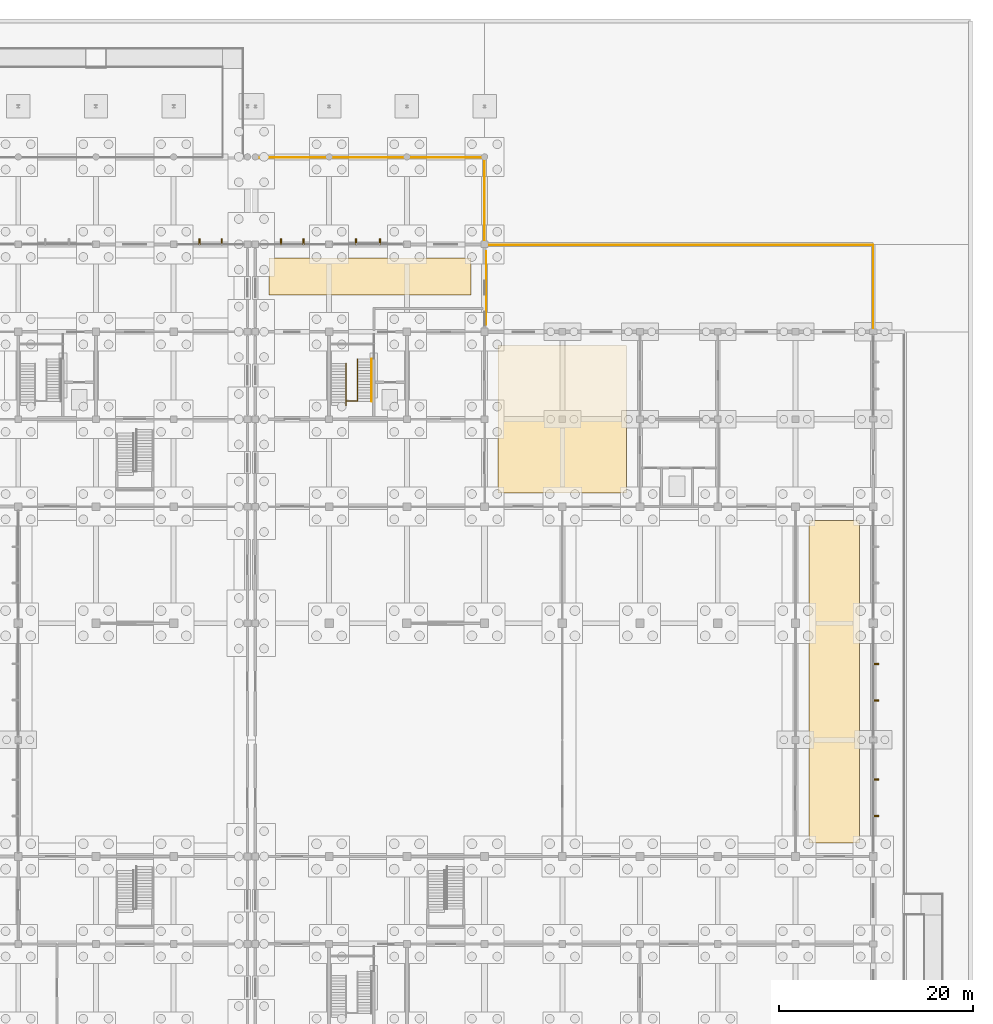
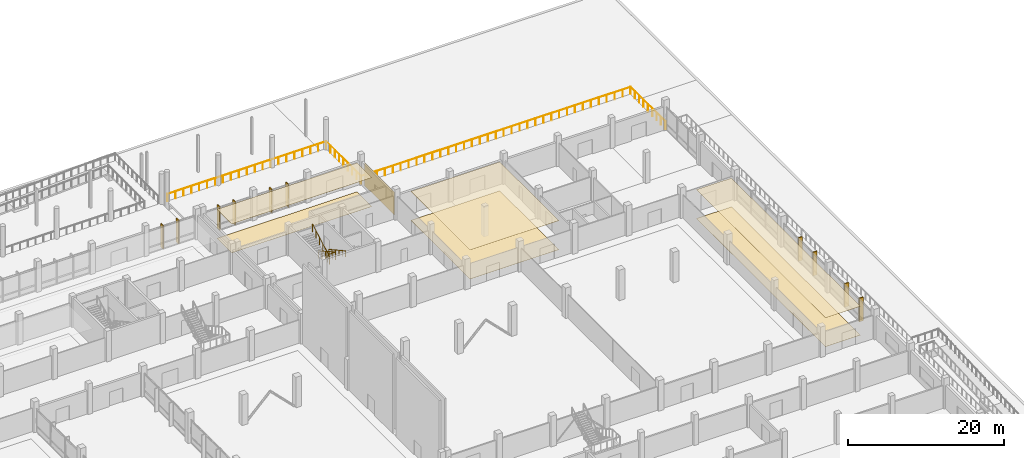
# One storey, part 68 of 72: 10 shading devices, 7 coverings, 4 railings.
"""IFC4 building model written with IfcOpenShell, lengths in metres."""

from ifc_helpers import new_model, si_unit, direction, frame, origin, origin_2d, place, context, subcontext, project, spatial, polyline, rectangle, circle, outline, extrude, material, layer, layer_set, type_object, element, save


model = new_model("IFC4")

# Units and contexts
model_context = context("Model", 3, precision=1e-05, world=origin(), true_north=direction((0.0, 1.0)))
body_context = subcontext(model_context, "Body", "Model", "MODEL_VIEW")
ifc_project = project(units=[si_unit("LENGTHUNIT", "METRE"), si_unit("AREAUNIT", "SQUARE_METRE"), si_unit("VOLUMEUNIT", "CUBIC_METRE"), si_unit("PLANEANGLEUNIT", "RADIAN"), si_unit("MASSUNIT", "GRAM", prefix="KILO"), si_unit("THERMODYNAMICTEMPERATUREUNIT", "KELVIN"), si_unit("POWERUNIT", "WATT")], contexts=[model_context])

# Site, building, storey
site_placement = place(None, origin())
site = spatial("IfcSite", under=ifc_project, at=site_placement, CompositionType="ELEMENT")
building_placement = place(site_placement, origin())
building = spatial("IfcBuilding", under=site, at=building_placement, Name="Kronsvod Quay Wholesale Market", CompositionType="ELEMENT")
storey_placement = place(building_placement, origin())
storey = spatial("IfcBuildingStorey", under=building, at=storey_placement, Name="L00", CompositionType="ELEMENT", Elevation=0.0)

# Coverings
ifc_material_1 = material(Name="Perforated acoustic mineral-wool ceiling")
ifc_layer_1 = layer(ifc_material_1, 0.030029296875)
ifc_layer_set_1 = layer_set([ifc_layer_1], Name="Perforated acoustic mineral-wool ceiling")
covering_type_1 = type_object("IfcCoveringType", Name="Cov_Ceil01", PredefinedType="CEILING", material=ifc_layer_set_1)
covering_1_placement = place(storey_placement, frame((0.0, 0.0, 4.52001953125)))
element("IfcCovering", 1, at=covering_1_placement, inside=storey, type_object=covering_type_1, Name="CLG-SP-L00-V5-14", PredefinedType="CEILING", context=body_context, shape_type="SweptSolid", body=[
    extrude(outline(polyline([(129.800048828125, 111.800048828125), (150.60009765625, 111.800048828125), (150.60009765625, 115.60009765625), (129.800048828125, 115.60009765625), (129.800048828125, 111.800048828125)])), origin(), (0.0, 0.0, 1.0), 0.030029296875),
])
ifc_material_2 = material(Name="Moisture-resistant gypsum board ceiling")
ifc_layer_2 = layer(ifc_material_2, 0.02490234375)
ifc_layer_set_2 = layer_set([ifc_layer_2], Name="Moisture-resistant gypsum board ceiling")
covering_type_2 = type_object("IfcCoveringType", Name="Cov_Ceil03", PredefinedType="CEILING", material=ifc_layer_set_2)
covering_2_placement = place(storey_placement, frame((0.0, 0.0, 4.52490234375)))
element("IfcCovering", 2, at=covering_2_placement, inside=storey, type_object=covering_type_2, Name="CLG-SP-L00-V2-05B", PredefinedType="CEILING", context=body_context, shape_type="SweptSolid", body=[
    extrude(outline(polyline([(185.39990234375, 55.39990234375), (190.60009765625, 55.39990234375), (190.60009765625, 88.60009765625), (185.39990234375, 88.60009765625), (185.39990234375, 55.39990234375)])), origin(), (0.0, 0.0, 1.0), 0.025146484375),
])
covering_3_placement = place(storey_placement, frame((0.0, 0.0, 4.544921875)))
element("IfcCovering", 3, at=covering_3_placement, inside=storey, type_object=covering_type_2, Name="CLG-SP-L00-V2-06", PredefinedType="CEILING", context=body_context, shape_type="SweptSolid", body=[
    extrude(outline(polyline([(153.39990234375, 91.39990234375), (166.60009765625, 91.39990234375), (166.60009765625, 106.60009765625), (153.39990234375, 106.60009765625), (153.39990234375, 91.39990234375)])), origin(), (0.0, 0.0, 1.0), 0.025146484375),
])
ifc_material_3 = material(Name="Anodised aluminium rainscreen cladding", Category="aluminium")
ifc_layer_3 = layer(ifc_material_3, 0.034912109375)
ifc_layer_set_3 = layer_set([ifc_layer_3], Name="Anodised aluminium rainscreen cladding")
covering_type_3 = type_object("IfcCoveringType", Name="Cov_FacadeCladding", PredefinedType="CLADDING", material=ifc_layer_set_3)
covering_4_placement = place(storey_placement, frame((152.16748046875, 112.5, 0.0), z_axis=(0.0, 0.0, 1.0), x_axis=(1.0, 0.0, 0.0)))
element("IfcCovering", 4, at=covering_4_placement, inside=storey, type_object=covering_type_3, Name="CLD-E-0", PredefinedType="CLADDING", context=body_context, shape_type="SweptSolid", body=[
    extrude(rectangle(XDim=0.034912109375, YDim=7.60009765625, at=origin_2d()), origin(), (0.0, 0.0, 1.0), 3.60009765625),
])
ifc_material_4 = material(Name="Heavy-duty polyurethane resin market screed")
ifc_layer_4 = layer(ifc_material_4, 0.02001953125)
ifc_layer_set_4 = layer_set([ifc_layer_4], Name="Heavy-duty polyurethane resin market screed")
covering_type_4 = type_object("IfcCoveringType", Name="Cov_Floor01", PredefinedType="FLOORING", material=ifc_layer_set_4)
covering_5_placement = place(storey_placement, origin())
element("IfcCovering", 5, at=covering_5_placement, inside=storey, type_object=covering_type_4, Name="FLR-SP-L00-V2-05B", PredefinedType="FLOORING", context=body_context, shape_type="SweptSolid", body=[
    extrude(outline(polyline([(185.39990234375, 55.39990234375), (190.60009765625, 55.39990234375), (190.60009765625, 88.60009765625), (185.39990234375, 88.60009765625), (185.39990234375, 55.39990234375)])), origin(), (0.0, 0.0, 1.0), 0.02001953125),
])
covering_6_placement = place(storey_placement, origin())
element("IfcCovering", 6, at=covering_6_placement, inside=storey, type_object=covering_type_4, Name="FLR-SP-L00-V2-06", PredefinedType="FLOORING", context=body_context, shape_type="SweptSolid", body=[
    extrude(outline(polyline([(153.39990234375, 91.39990234375), (166.60009765625, 91.39990234375), (166.60009765625, 106.60009765625), (153.39990234375, 106.60009765625), (153.39990234375, 91.39990234375)])), origin(), (0.0, 0.0, 1.0), 0.02001953125),
])
ifc_material_5 = material(Name="Polished terrazzo concourse flooring")
ifc_layer_5 = layer(ifc_material_5, 0.01806640625)
ifc_layer_set_5 = layer_set([ifc_layer_5], Name="Polished terrazzo concourse flooring")
covering_type_5 = type_object("IfcCoveringType", Name="Cov_Floor03", PredefinedType="FLOORING", material=ifc_layer_set_5)
covering_7_placement = place(storey_placement, origin())
element("IfcCovering", 7, at=covering_7_placement, inside=storey, type_object=covering_type_5, Name="FLR-SP-L00-V5-14", PredefinedType="FLOORING", context=body_context, shape_type="SweptSolid", body=[
    extrude(outline(polyline([(129.800048828125, 111.800048828125), (150.60009765625, 111.800048828125), (150.60009765625, 115.60009765625), (129.800048828125, 115.60009765625), (129.800048828125, 111.800048828125)])), origin(), (0.0, 0.0, 1.0), 0.01806640625),
])

# Railings
ifc_material_6 = material(Name="Stainless steel", Category="steel")
railing_type_1 = type_object("IfcRailingType", Name="Railing_Guard1200", PredefinedType="GUARDRAIL", material=ifc_material_6)
railing_1_placement = place(storey_placement, frame((128.449951171875, 125.949951171875, 0.0)))
element("IfcRailing", 8, at=railing_1_placement, inside=storey, type_object=railing_type_1, Name="GRD-L00-N5", PredefinedType="GUARDRAIL", context=body_context, shape_type="SweptSolid", body=[
    extrude(circle(Radius=0.02392578125, at=origin_2d()), frame((0.0, 0.0, 1.17578125), z_axis=(1.0, 0.0, 0.0), x_axis=(0.0, 1.0, 0.0)), (0.0, 0.0, 1.0), 23.550048828125),
    extrude(circle(Radius=0.02392578125, at=origin_2d()), frame((23.550048828125, 0.0, 1.17578125), z_axis=(0.0, -1.0, 0.0), x_axis=(1.0, 0.0, 0.0)), (0.0, 0.0, 1.0), 8.949951171875),
    extrude(circle(Radius=0.02099609375, at=origin_2d()), origin(), (0.0, 0.0, 1.0), 1.15185546875),
    extrude(circle(Radius=0.02099609375, at=origin_2d()), frame((1.177490234375, 0.0, 0.0)), (0.0, 0.0, 1.0), 1.15185546875),
    extrude(circle(Radius=0.02099609375, at=origin_2d()), frame((2.35498046875, 0.0, 0.0)), (0.0, 0.0, 1.0), 1.15185546875),
    extrude(circle(Radius=0.02099609375, at=origin_2d()), frame((3.532470703125, 0.0, 0.0)), (0.0, 0.0, 1.0), 1.15185546875),
    extrude(circle(Radius=0.02099609375, at=origin_2d()), frame((4.7099609375, 0.0, 0.0)), (0.0, 0.0, 1.0), 1.15185546875),
    extrude(circle(Radius=0.02099609375, at=origin_2d()), frame((5.887451171875, 0.0, 0.0)), (0.0, 0.0, 1.0), 1.15185546875),
    extrude(circle(Radius=0.02099609375, at=origin_2d()), frame((7.06494140625, 0.0, 0.0)), (0.0, 0.0, 1.0), 1.15185546875),
    extrude(circle(Radius=0.02099609375, at=origin_2d()), frame((8.242431640625, 0.0, 0.0)), (0.0, 0.0, 1.0), 1.15185546875),
    extrude(circle(Radius=0.02099609375, at=origin_2d()), frame((9.419921875, 0.0, 0.0)), (0.0, 0.0, 1.0), 1.15185546875),
    extrude(circle(Radius=0.02099609375, at=origin_2d()), frame((10.597412109375, 0.0, 0.0)), (0.0, 0.0, 1.0), 1.15185546875),
    extrude(circle(Radius=0.02099609375, at=origin_2d()), frame((11.77490234375, 0.0, 0.0)), (0.0, 0.0, 1.0), 1.15185546875),
    extrude(circle(Radius=0.02099609375, at=origin_2d()), frame((12.95263671875, 0.0, 0.0)), (0.0, 0.0, 1.0), 1.15185546875),
    extrude(circle(Radius=0.02099609375, at=origin_2d()), frame((14.130126953125, 0.0, 0.0)), (0.0, 0.0, 1.0), 1.15185546875),
    extrude(circle(Radius=0.02099609375, at=origin_2d()), frame((15.3076171875, 0.0, 0.0)), (0.0, 0.0, 1.0), 1.15185546875),
    extrude(circle(Radius=0.02099609375, at=origin_2d()), frame((16.485107421875, 0.0, 0.0)), (0.0, 0.0, 1.0), 1.15185546875),
    extrude(circle(Radius=0.02099609375, at=origin_2d()), frame((17.66259765625, 0.0, 0.0)), (0.0, 0.0, 1.0), 1.15185546875),
    extrude(circle(Radius=0.02099609375, at=origin_2d()), frame((18.840087890625, 0.0, 0.0)), (0.0, 0.0, 1.0), 1.15185546875),
    extrude(circle(Radius=0.02099609375, at=origin_2d()), frame((20.017578125, 0.0, 0.0)), (0.0, 0.0, 1.0), 1.15185546875),
    extrude(circle(Radius=0.02099609375, at=origin_2d()), frame((21.195068359375, 0.0, 0.0)), (0.0, 0.0, 1.0), 1.15185546875),
    extrude(circle(Radius=0.02099609375, at=origin_2d()), frame((22.37255859375, 0.0, 0.0)), (0.0, 0.0, 1.0), 1.15185546875),
    extrude(circle(Radius=0.02099609375, at=origin_2d()), frame((23.550048828125, 0.0, 0.0)), (0.0, 0.0, 1.0), 1.15185546875),
    extrude(circle(Radius=0.02099609375, at=origin_2d()), frame((23.550048828125, -1.11865234375, 0.0)), (0.0, 0.0, 1.0), 1.15185546875),
    extrude(circle(Radius=0.02099609375, at=origin_2d()), frame((23.550048828125, -2.237548828125, 0.0)), (0.0, 0.0, 1.0), 1.15185546875),
    extrude(circle(Radius=0.02099609375, at=origin_2d()), frame((23.550048828125, -3.356201171875, 0.0)), (0.0, 0.0, 1.0), 1.15185546875),
    extrude(circle(Radius=0.02099609375, at=origin_2d()), frame((23.550048828125, -4.47509765625, 0.0)), (0.0, 0.0, 1.0), 1.15185546875),
    extrude(circle(Radius=0.02099609375, at=origin_2d()), frame((23.550048828125, -5.59375, 0.0)), (0.0, 0.0, 1.0), 1.15185546875),
    extrude(circle(Radius=0.02099609375, at=origin_2d()), frame((23.550048828125, -6.71240234375, 0.0)), (0.0, 0.0, 1.0), 1.15185546875),
    extrude(circle(Radius=0.02099609375, at=origin_2d()), frame((23.550048828125, -7.831298828125, 0.0)), (0.0, 0.0, 1.0), 1.15185546875),
    extrude(circle(Radius=0.02099609375, at=origin_2d()), frame((23.550048828125, -8.949951171875, 0.0)), (0.0, 0.0, 1.0), 1.15185546875),
])
railing_2_placement = place(storey_placement, frame((152.0, 116.949951171875, 0.0)))
element("IfcRailing", 9, at=railing_2_placement, inside=storey, type_object=railing_type_1, Name="GRD-L00-NE1", PredefinedType="GUARDRAIL", context=body_context, shape_type="SweptSolid", body=[
    extrude(circle(Radius=0.02392578125, at=origin_2d()), frame((0.0, 0.0, 1.17578125), z_axis=(1.0, 0.0, 0.0), x_axis=(0.0, 1.0, 0.0)), (0.0, 0.0, 1.0), 40.0),
    extrude(circle(Radius=0.02392578125, at=origin_2d()), frame((40.0, 0.0, 1.17578125), z_axis=(0.0, -1.0, 0.0), x_axis=(1.0, 0.0, 0.0)), (0.0, 0.0, 1.0), 8.949951171875),
    extrude(circle(Radius=0.02099609375, at=origin_2d()), origin(), (0.0, 0.0, 1.0), 1.15185546875),
    extrude(circle(Radius=0.02099609375, at=origin_2d()), frame((1.176513671875, 0.0, 0.0)), (0.0, 0.0, 1.0), 1.15185546875),
    extrude(circle(Radius=0.02099609375, at=origin_2d()), frame((2.35302734375, 0.0, 0.0)), (0.0, 0.0, 1.0), 1.15185546875),
    extrude(circle(Radius=0.02099609375, at=origin_2d()), frame((3.529296875, 0.0, 0.0)), (0.0, 0.0, 1.0), 1.15185546875),
    extrude(circle(Radius=0.02099609375, at=origin_2d()), frame((4.705810546875, 0.0, 0.0)), (0.0, 0.0, 1.0), 1.15185546875),
    extrude(circle(Radius=0.02099609375, at=origin_2d()), frame((5.88232421875, 0.0, 0.0)), (0.0, 0.0, 1.0), 1.15185546875),
    extrude(circle(Radius=0.02099609375, at=origin_2d()), frame((7.058837890625, 0.0, 0.0)), (0.0, 0.0, 1.0), 1.15185546875),
    extrude(circle(Radius=0.02099609375, at=origin_2d()), frame((8.2353515625, 0.0, 0.0)), (0.0, 0.0, 1.0), 1.15185546875),
    extrude(circle(Radius=0.02099609375, at=origin_2d()), frame((9.411865234375, 0.0, 0.0)), (0.0, 0.0, 1.0), 1.15185546875),
    extrude(circle(Radius=0.02099609375, at=origin_2d()), frame((10.588134765625, 0.0, 0.0)), (0.0, 0.0, 1.0), 1.15185546875),
    extrude(circle(Radius=0.02099609375, at=origin_2d()), frame((11.7646484375, 0.0, 0.0)), (0.0, 0.0, 1.0), 1.15185546875),
    extrude(circle(Radius=0.02099609375, at=origin_2d()), frame((12.941162109375, 0.0, 0.0)), (0.0, 0.0, 1.0), 1.15185546875),
    extrude(circle(Radius=0.02099609375, at=origin_2d()), frame((14.11767578125, 0.0, 0.0)), (0.0, 0.0, 1.0), 1.15185546875),
    extrude(circle(Radius=0.02099609375, at=origin_2d()), frame((15.294189453125, 0.0, 0.0)), (0.0, 0.0, 1.0), 1.15185546875),
    extrude(circle(Radius=0.02099609375, at=origin_2d()), frame((16.470703125, 0.0, 0.0)), (0.0, 0.0, 1.0), 1.15185546875),
    extrude(circle(Radius=0.02099609375, at=origin_2d()), frame((17.64697265625, 0.0, 0.0)), (0.0, 0.0, 1.0), 1.15185546875),
    extrude(circle(Radius=0.02099609375, at=origin_2d()), frame((18.823486328125, 0.0, 0.0)), (0.0, 0.0, 1.0), 1.15185546875),
    extrude(circle(Radius=0.02099609375, at=origin_2d()), frame((20.0, 0.0, 0.0)), (0.0, 0.0, 1.0), 1.15185546875),
    extrude(circle(Radius=0.02099609375, at=origin_2d()), frame((21.176513671875, 0.0, 0.0)), (0.0, 0.0, 1.0), 1.15185546875),
    extrude(circle(Radius=0.02099609375, at=origin_2d()), frame((22.35302734375, 0.0, 0.0)), (0.0, 0.0, 1.0), 1.15185546875),
    extrude(circle(Radius=0.02099609375, at=origin_2d()), frame((23.529296875, 0.0, 0.0)), (0.0, 0.0, 1.0), 1.15185546875),
    extrude(circle(Radius=0.02099609375, at=origin_2d()), frame((24.705810546875, 0.0, 0.0)), (0.0, 0.0, 1.0), 1.15185546875),
    extrude(circle(Radius=0.02099609375, at=origin_2d()), frame((25.88232421875, 0.0, 0.0)), (0.0, 0.0, 1.0), 1.15185546875),
    extrude(circle(Radius=0.02099609375, at=origin_2d()), frame((27.058837890625, 0.0, 0.0)), (0.0, 0.0, 1.0), 1.15185546875),
    extrude(circle(Radius=0.02099609375, at=origin_2d()), frame((28.2353515625, 0.0, 0.0)), (0.0, 0.0, 1.0), 1.15185546875),
    extrude(circle(Radius=0.02099609375, at=origin_2d()), frame((29.411865234375, 0.0, 0.0)), (0.0, 0.0, 1.0), 1.15185546875),
    extrude(circle(Radius=0.02099609375, at=origin_2d()), frame((30.588134765625, 0.0, 0.0)), (0.0, 0.0, 1.0), 1.15185546875),
    extrude(circle(Radius=0.02099609375, at=origin_2d()), frame((31.7646484375, 0.0, 0.0)), (0.0, 0.0, 1.0), 1.15185546875),
    extrude(circle(Radius=0.02099609375, at=origin_2d()), frame((32.941162109375, 0.0, 0.0)), (0.0, 0.0, 1.0), 1.15185546875),
    extrude(circle(Radius=0.02099609375, at=origin_2d()), frame((34.11767578125, 0.0, 0.0)), (0.0, 0.0, 1.0), 1.15185546875),
    extrude(circle(Radius=0.02099609375, at=origin_2d()), frame((35.294189453125, 0.0, 0.0)), (0.0, 0.0, 1.0), 1.15185546875),
    extrude(circle(Radius=0.02099609375, at=origin_2d()), frame((36.470703125, 0.0, 0.0)), (0.0, 0.0, 1.0), 1.15185546875),
    extrude(circle(Radius=0.02099609375, at=origin_2d()), frame((37.64697265625, 0.0, 0.0)), (0.0, 0.0, 1.0), 1.15185546875),
    extrude(circle(Radius=0.02099609375, at=origin_2d()), frame((38.823486328125, 0.0, 0.0)), (0.0, 0.0, 1.0), 1.15185546875),
    extrude(circle(Radius=0.02099609375, at=origin_2d()), frame((40.0, 0.0, 0.0)), (0.0, 0.0, 1.0), 1.15185546875),
    extrude(circle(Radius=0.02099609375, at=origin_2d()), frame((40.0, -1.11865234375, 0.0)), (0.0, 0.0, 1.0), 1.15185546875),
    extrude(circle(Radius=0.02099609375, at=origin_2d()), frame((40.0, -2.237548828125, 0.0)), (0.0, 0.0, 1.0), 1.15185546875),
    extrude(circle(Radius=0.02099609375, at=origin_2d()), frame((40.0, -3.356201171875, 0.0)), (0.0, 0.0, 1.0), 1.15185546875),
    extrude(circle(Radius=0.02099609375, at=origin_2d()), frame((40.0, -4.47509765625, 0.0)), (0.0, 0.0, 1.0), 1.15185546875),
    extrude(circle(Radius=0.02099609375, at=origin_2d()), frame((40.0, -5.59375, 0.0)), (0.0, 0.0, 1.0), 1.15185546875),
    extrude(circle(Radius=0.02099609375, at=origin_2d()), frame((40.0, -6.71240234375, 0.0)), (0.0, 0.0, 1.0), 1.15185546875),
    extrude(circle(Radius=0.02099609375, at=origin_2d()), frame((40.0, -7.831298828125, 0.0)), (0.0, 0.0, 1.0), 1.15185546875),
    extrude(circle(Radius=0.02099609375, at=origin_2d()), frame((40.0, -8.949951171875, 0.0)), (0.0, 0.0, 1.0), 1.15185546875),
])
railing_3_placement = place(storey_placement, frame((138.909912109375, 105.179931640625, 0.0)))
element("IfcRailing", 10, at=railing_3_placement, inside=storey, type_object=railing_type_1, Name="ST10-L00-SLOT-GRD", PredefinedType="GUARDRAIL", context=body_context, shape_type="SweptSolid", body=[
    extrude(circle(Radius=0.02392578125, at=origin_2d()), frame((0.0, 0.0, 1.17578125), z_axis=(0.0, -0.873208496407, 0.487346818809), x_axis=(1.0, 0.0, 0.0)), (0.0, 0.0, 1.0), 4.92431640625),
    extrude(circle(Radius=0.02392578125, at=origin_2d()), frame((0.0, -4.300048828125, 3.57568359375), z_axis=(-1.0, 0.0, 0.0), x_axis=(0.0, -1.0, 0.0)), (0.0, 0.0, 1.0), 1.159912109375),
    extrude(circle(Radius=0.02392578125, at=origin_2d()), frame((-1.159912109375, -4.300048828125, 3.57568359375), z_axis=(0.0, -1.0, 0.0), x_axis=(1.0, 0.0, 0.0)), (0.0, 0.0, 1.0), 0.469970703125),
    extrude(circle(Radius=0.02392578125, at=origin_2d()), frame((-1.159912109375, -4.77001953125, 3.57568359375), z_axis=(0.0, 0.875569800069, 0.483091632309), x_axis=(-1.0, 0.0, 0.0)), (0.0, 0.0, 1.0), 4.96826171875),
    extrude(circle(Radius=0.02099609375, at=origin_2d()), origin(), (0.0, 0.0, 1.0), 1.15185546875),
    extrude(circle(Radius=0.02099609375, at=origin_2d()), frame((0.0, -0.860107421875, 0.47998046875)), (0.0, 0.0, 1.0), 1.15185546875),
    extrude(circle(Radius=0.02099609375, at=origin_2d()), frame((0.0, -1.719970703125, 0.9599609375)), (0.0, 0.0, 1.0), 1.15185546875),
    extrude(circle(Radius=0.02099609375, at=origin_2d()), frame((0.0, -2.580078125, 1.43994140625)), (0.0, 0.0, 1.0), 1.15185546875),
    extrude(circle(Radius=0.02099609375, at=origin_2d()), frame((0.0, -3.43994140625, 1.919921875)), (0.0, 0.0, 1.0), 1.15185546875),
    extrude(circle(Radius=0.02099609375, at=origin_2d()), frame((0.0, -4.300048828125, 2.39990234375)), (0.0, 0.0, 1.0), 1.15185546875),
    extrude(circle(Radius=0.02099609375, at=origin_2d()), frame((-1.159912109375, -4.300048828125, 2.39990234375)), (0.0, 0.0, 1.0), 1.15185546875),
    extrude(circle(Radius=0.02099609375, at=origin_2d()), frame((-1.159912109375, -4.77001953125, 2.39990234375)), (0.0, 0.0, 1.0), 1.15185546875),
    extrude(circle(Radius=0.02099609375, at=origin_2d()), frame((-1.159912109375, -3.89990234375, 2.8798828125)), (0.0, 0.0, 1.0), 1.15185546875),
    extrude(circle(Radius=0.02099609375, at=origin_2d()), frame((-1.159912109375, -3.030029296875, 3.35986328125)), (0.0, 0.0, 1.0), 1.15185546875),
    extrude(circle(Radius=0.02099609375, at=origin_2d()), frame((-1.159912109375, -2.159912109375, 3.840087890625)), (0.0, 0.0, 1.0), 1.15185546875),
    extrude(circle(Radius=0.02099609375, at=origin_2d()), frame((-1.159912109375, -1.2900390625, 4.320068359375)), (0.0, 0.0, 1.0), 1.15185546875),
    extrude(circle(Radius=0.02099609375, at=origin_2d()), frame((-1.159912109375, -0.419921875, 4.800048828125)), (0.0, 0.0, 1.0), 1.15185546875),
])
ifc_material_7 = material(Name="Stainless steel", Category="steel")
railing_type_2 = type_object("IfcRailingType", Name="Railing_Handrail900", PredefinedType="HANDRAIL", material=ifc_material_7)
railing_4_placement = place(storey_placement, frame((140.3798828125, 105.179931640625, 0.0)))
element("IfcRailing", 11, at=railing_4_placement, inside=storey, type_object=railing_type_2, Name="ST10-L00-HDR", PredefinedType="HANDRAIL", context=body_context, shape_type="SweptSolid", body=[
    extrude(circle(Radius=0.02392578125, at=origin_2d()), frame((0.0, 0.0, 0.8759765625), z_axis=(0.0, -0.875579117544, 0.483074744652), x_axis=(1.0, 0.0, 0.0)), (0.0, 0.0, 1.0), 4.968017578125),
    extrude(circle(Radius=0.02099609375, at=origin_2d()), origin(), (0.0, 0.0, 1.0), 0.851806640625),
    extrude(circle(Radius=0.02099609375, at=origin_2d()), frame((0.0, -0.869873046875, 0.47998046875)), (0.0, 0.0, 1.0), 0.851806640625),
    extrude(circle(Radius=0.02099609375, at=origin_2d()), frame((0.0, -1.739990234375, 0.9599609375)), (0.0, 0.0, 1.0), 0.851806640625),
    extrude(circle(Radius=0.02099609375, at=origin_2d()), frame((0.0, -2.60986328125, 1.43994140625)), (0.0, 0.0, 1.0), 0.851806640625),
    extrude(circle(Radius=0.02099609375, at=origin_2d()), frame((0.0, -3.47998046875, 1.919921875)), (0.0, 0.0, 1.0), 0.851806640625),
    extrude(circle(Radius=0.02099609375, at=origin_2d()), frame((0.0, -4.349853515625, 2.39990234375)), (0.0, 0.0, 1.0), 0.851806640625),
])

# Shading devices
ifc_material_8 = material(Name="Anodised aluminium", Category="aluminium")
shading_device_type = type_object("IfcShadingDeviceType", Name="Shade_SolarFin", PredefinedType="AWNING", material=ifc_material_8)
for number, where, z_axis, x_axis, name in (
    (12, (122.648193359375, 117.280029296875, -0.02001953125), (0.0, 0.0, 1.0), (1.0, 0.0, 0.0), "SHDF-CWGX-L00-1200-1170-1226"),
    (13, (124.95166015625, 117.280029296875, -0.02001953125), (0.0, 0.0, 1.0), (1.0, 0.0, 0.0), "SHDF-CWGX-L00-1200-1170-1250"),
    (14, (131.04833984375, 117.280029296875, -0.02001953125), (0.0, 0.0, 1.0), (1.0, 0.0, 0.0), "SHDF-CWGX-L00-1284-1170-1310"),
    (15, (133.351806640625, 117.280029296875, -0.02001953125), (0.0, 0.0, 1.0), (1.0, 0.0, 0.0), "SHDF-CWGX-L00-1284-1170-1334"),
    (16, (138.78173828125, 117.280029296875, -0.02001953125), (0.0, 0.0, 1.0), (1.0, 0.0, 0.0), "SHDF-CWGX-L00-1360-1170-1388"),
    (17, (141.21826171875, 117.280029296875, -0.02001953125), (0.0, 0.0, 1.0), (1.0, 0.0, 0.0), "SHDF-CWGX-L00-1360-1170-1412"),
):
    element("IfcShadingDevice", number, at=place(storey_placement, frame(where, z_axis=z_axis, x_axis=x_axis)), inside=storey, type_object=shading_device_type, Name=name, PredefinedType="AWNING", context=body_context, shape_type="SweptSolid", body=[
        extrude(rectangle(XDim=0.139892578125, YDim=0.6201171875, at=origin_2d()), origin(), (0.0, 0.0, 1.0), 3.68994140625),
    ])
for number, where, z_axis, x_axis, name in (
    (18, (192.280029296875, 58.1650390625, -0.02001953125), (0.0, 0.0, 1.0), (1.0, 0.0, 0.0), "SHDF-CWGY-L00-1920-540-582"),
    (19, (192.280029296875, 61.93505859375, -0.02001953125), (0.0, 0.0, 1.0), (1.0, 0.0, 0.0), "SHDF-CWGY-L00-1920-540-619"),
    (20, (192.280029296875, 70.056640625, -0.02001953125), (0.0, 0.0, 1.0), (1.0, 0.0, 0.0), "SHDF-CWGY-L00-1920-660-701"),
    (21, (192.280029296875, 73.818359375, -0.02001953125), (0.0, 0.0, 1.0), (1.0, 0.0, 0.0), "SHDF-CWGY-L00-1920-660-738"),
):
    element("IfcShadingDevice", number, at=place(storey_placement, frame(where, z_axis=z_axis, x_axis=x_axis)), inside=storey, type_object=shading_device_type, Name=name, PredefinedType="AWNING", context=body_context, shape_type="SweptSolid", body=[
        extrude(rectangle(XDim=0.6201171875, YDim=0.139892578125, at=origin_2d()), origin(), (0.0, 0.0, 1.0), 3.68994140625),
    ])

save(model, "model.ifc")
